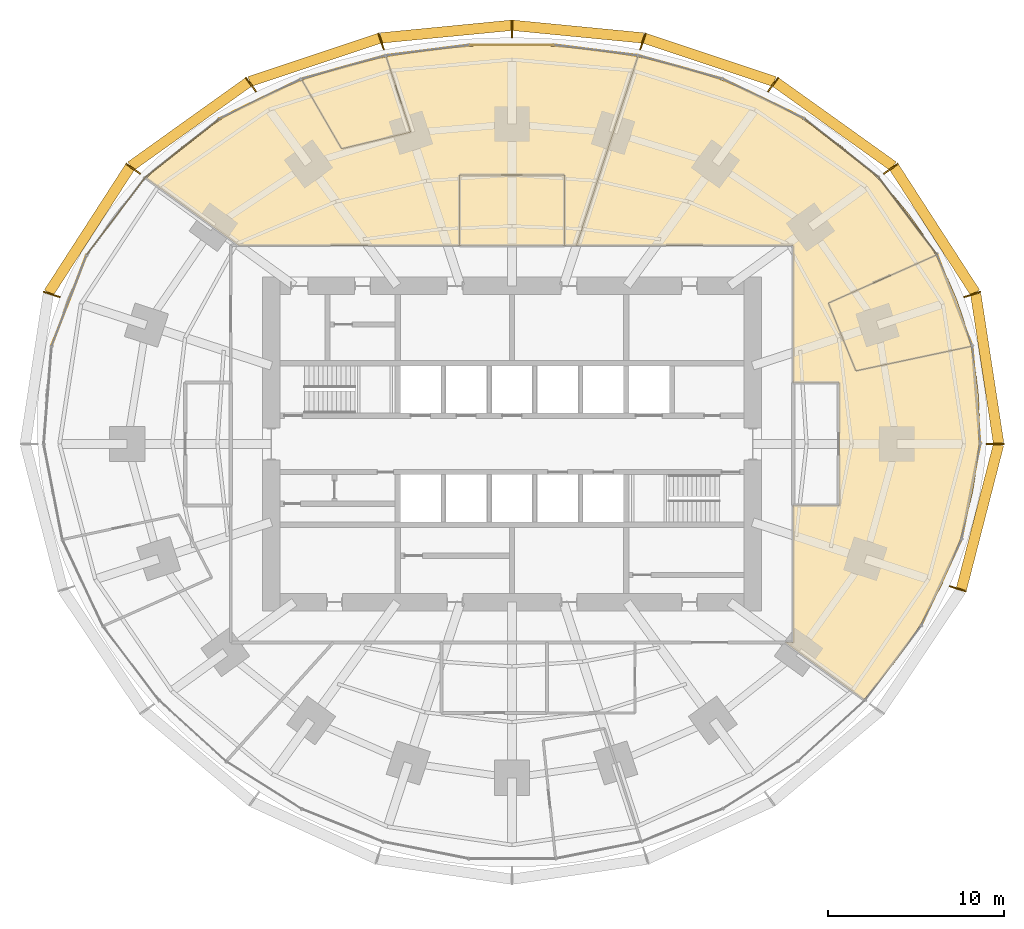
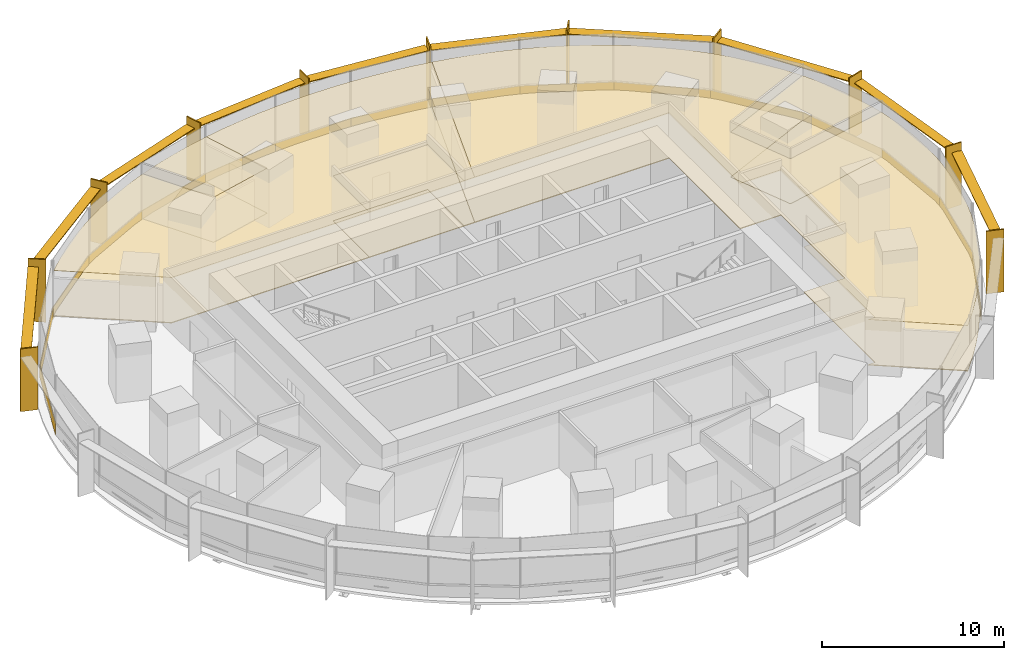
# One storey, part 15 of 15: 26 coverings, 21 shading devices.
"""IFC4 building model written with IfcOpenShell, lengths in metres."""

from ifc_helpers import new_model, si_unit, direction, frame, origin, origin_2d, place, context, subcontext, project, spatial, polyline, rectangle, outline, extrude, material, layer, layer_set, type_object, element, save


model = new_model("IFC4")

# Units and contexts
model_context = context("Model", 3, precision=1e-05, world=origin(), true_north=direction((0.0, 1.0)))
body_context = subcontext(model_context, "Body", "Model", "MODEL_VIEW")
ifc_project = project(units=[si_unit("LENGTHUNIT", "METRE"), si_unit("AREAUNIT", "SQUARE_METRE"), si_unit("VOLUMEUNIT", "CUBIC_METRE"), si_unit("PLANEANGLEUNIT", "RADIAN"), si_unit("MASSUNIT", "GRAM", prefix="KILO")], contexts=[model_context])

# Site, building, storey
site_placement = place(None, origin())
site = spatial("IfcSite", under=ifc_project, at=site_placement, CompositionType="ELEMENT")
building_placement = place(site_placement, origin())
building = spatial("IfcBuilding", under=site, at=building_placement, Name="Marramba Exchange Tower", CompositionType="ELEMENT")
storey_placement = place(building_placement, frame((0.0, 0.0, 70.0)))
storey = spatial("IfcBuildingStorey", under=building, at=storey_placement, Name="L16", CompositionType="ELEMENT", Elevation=70.0)

# Shading devices
ifc_material_1 = material(Name="Aluminium blade, timber-look bronze finish", Category="wood")
ifc_layer_1 = layer(ifc_material_1, 0.080078125)
ifc_layer_set_1 = layer_set([ifc_layer_1], Name="Floor-edge blade 1000x80")
shading_device_type_1 = type_object("IfcShadingDeviceType", Name="Floor-edge blade 1000x80", PredefinedType="USERDEFINED", material=ifc_layer_set_1)
for number, where, z_axis, x_axis, name in (
    (1, (27.5, 0.0, -0.16015625), (0.0, 0.0, 1.0), (1.0, 0.0, 0.0), "Floor-edge blade FB1 L16 TC01"),
    (2, (26.193115234375, 8.5107421875, -0.16015625), (0.0, 0.0, 1.0), (0.951056516295, 0.309016994375, 0.0), "Floor-edge blade FB1 L16 TC02"),
    (3, (21.56298828125, 15.66650390625, -0.16015625), (0.0, 0.0, 1.0), (0.809016994375, 0.587785252292, 0.0), "Floor-edge blade FB1 L16 TC03"),
    (4, (14.857666015625, 20.449951171875, -0.16015625), (0.0, 0.0, 1.0), (0.587785252292, 0.809016994375, 0.0), "Floor-edge blade FB1 L16 TC04"),
    (5, (7.444091796875, 22.910888671875, -0.16015625), (0.0, 0.0, 1.0), (0.309016994375, 0.951056516295, 0.0), "Floor-edge blade FB1 L16 TC05"),
    (6, (0.0, 23.6279296875, -0.16015625), (0.0, 0.0, 1.0), (0.0, 1.0, 0.0), "Floor-edge blade FB1 L16 TC06"),
    (7, (-7.444091796875, 22.910888671875, -0.16015625), (0.0, 0.0, 1.0), (-0.309016994375, 0.951056516295, 0.0), "Floor-edge blade FB1 L16 TC07"),
    (8, (-14.857666015625, 20.449951171875, -0.16015625), (0.0, 0.0, 1.0), (-0.587785252292, 0.809016994375, 0.0), "Floor-edge blade FB1 L16 TC08"),
    (9, (-21.56298828125, 15.66650390625, -0.16015625), (0.0, 0.0, 1.0), (-0.809016994375, 0.587785252292, 0.0), "Floor-edge blade FB1 L16 TC09"),
    (10, (-26.193115234375, 8.5107421875, -0.16015625), (0.0, 0.0, 1.0), (-0.951056516295, 0.309016994375, 0.0), "Floor-edge blade FB1 L16 TC10"),
    (11, (25.3740234375, -8.24462890625, -0.16015625), (0.0, 0.0, 1.0), (0.951056516295, -0.309016994375, 0.0), "Floor-edge blade FB1 L16 TC20"),
):
    element("IfcShadingDevice", number, at=place(storey_placement, frame(where, z_axis=z_axis, x_axis=x_axis)), inside=storey, type_object=shading_device_type_1, Name=name, ObjectType="FIN", PredefinedType="USERDEFINED", context=body_context, shape_type="SweptSolid", body=[
        extrude(rectangle(XDim=1.0, YDim=0.080078125, at=origin_2d()), origin(), (0.0, 0.0, 1.0), 4.199951171875),
    ])

# Coverings
ifc_material_2 = material(Name="Steel raised access floor panels", Category="steel")
ifc_layer_2 = layer(ifc_material_2, 0.050048828125)
ifc_layer_set_2 = layer_set([ifc_layer_2], Name="Raised access floor 300")
covering_type_1 = type_object("IfcCoveringType", Name="Raised access floor 300", PredefinedType="FLOORING", material=ifc_layer_set_2)
covering_1_placement = place(storey_placement, frame((0.0, 0.0, 0.25)))
element("IfcCovering", 12, at=covering_1_placement, inside=storey, type_object=covering_type_1, Name="Raised access floor RAF1 L16 Trading Floor 1", PredefinedType="FLOORING", context=body_context, shape_type="SweptSolid", body=[
    extrude(outline(polyline([(-20.810791015625, 15.119873046875), (-19.8251953125, 16.05419921875), (-18.791259765625, 16.919677734375), (-17.71630859375, 17.71630859375), (-16.60693359375, 18.44384765625), (-15.4697265625, 19.103759765625), (-14.31103515625, 19.697509765625), (-13.135986328125, 20.2275390625), (-11.94921875, 20.69677734375), (-9.69921875, 16.7998046875), (-5.76611328125, 17.74658203125), (-7.15673828125, 22.0263671875), (-5.95849609375, 22.23779296875), (-4.7626953125, 22.406982421875), (-3.5693359375, 22.535888671875), (-2.378173828125, 22.62646484375), (-1.188720703125, 22.68017578125), (0.0, 22.697998046875), (1.188720703125, 22.68017578125), (2.378173828125, 22.62646484375), (3.5693359375, 22.535888671875), (4.7626953125, 22.406982421875), (5.95849609375, 22.23779296875), (7.15673828125, 22.0263671875), (3.671630859375, 11.300048828125), (3.0, 11.300048828125), (3.0, 15.300048828125), (-3.0, 15.300048828125), (-3.0, 11.300048828125), (-15.552978515625, 11.300048828125), (-20.810791015625, 15.119873046875)])), origin(), (0.0, 0.0, 1.0), 0.050048828125),
])
covering_2_placement = place(storey_placement, frame((0.0, 0.0, 0.25)))
element("IfcCovering", 13, at=covering_2_placement, inside=storey, type_object=covering_type_1, Name="Raised access floor RAF1 L16 Trading Floor 4", PredefinedType="FLOORING", context=body_context, shape_type="SweptSolid", body=[
    extrude(outline(polyline([(16.0, -3.5), (18.60009765625, -3.5), (18.60009765625, 3.5), (16.0, 3.5), (16.0, 11.300048828125), (3.671630859375, 11.300048828125), (5.06201171875, 15.579345703125), (7.15673828125, 22.0263671875), (8.356689453125, 21.76953125), (9.556640625, 21.464599609375), (10.755126953125, 21.10791015625), (11.94921875, 20.69677734375), (13.135986328125, 20.2275390625), (14.31103515625, 19.697509765625), (15.4697265625, 19.103759765625), (16.60693359375, 18.44384765625), (17.71630859375, 17.71630859375), (18.791259765625, 16.919677734375), (19.8251953125, 16.05419921875), (20.810791015625, 15.119873046875), (21.740478515625, 14.118408203125), (22.607177734375, 13.05224609375), (23.40380859375, 11.9248046875), (24.12353515625, 10.740478515625), (18.002685546875, 8.015380859375), (19.569580078125, 4.15966796875), (26.123291015625, 5.552734375), (26.3837890625, 4.1787109375), (26.544921875, 2.7900390625), (26.6064453125, 1.394287109375), (26.570068359375, 0.0), (26.43798828125, -1.385498046875), (26.213623046875, -2.755126953125), (25.9013671875, -4.102294921875), (25.50634765625, -5.421630859375), (25.033935546875, -6.707763671875), (24.489501953125, -7.95703125), (23.879150390625, -9.166259765625), (23.208251953125, -10.3330078125), (22.482177734375, -11.455322265625), (21.7060546875, -12.531982421875), (20.88427734375, -13.5625), (20.020751953125, -14.5458984375), (16.2412109375, -11.800048828125), (15.552978515625, -11.300048828125), (16.0, -11.300048828125), (16.0, -3.5)])), origin(), (0.0, 0.0, 1.0), 0.050048828125),
])
covering_3_placement = place(storey_placement, frame((0.0, 0.0, 0.25)))
element("IfcCovering", 14, at=covering_3_placement, inside=storey, type_object=covering_type_1, Name="Raised access floor RAF1 L16 Firm Principal Office 1", PredefinedType="FLOORING", context=body_context, shape_type="SweptSolid", body=[
    extrude(outline(polyline([(-10.945068359375, 21.04248046875), (-10.755126953125, 21.10791015625), (-9.556640625, 21.464599609375), (-9.022705078125, 21.60009765625), (-8.356689453125, 21.76953125), (-7.15673828125, 22.0263671875), (-5.76611328125, 17.74658203125), (-9.69921875, 16.7998046875), (-11.94921875, 20.69677734375), (-10.945068359375, 21.04248046875)])), origin(), (0.0, 0.0, 1.0), 0.050048828125),
])
covering_4_placement = place(storey_placement, frame((0.0, 0.0, 0.25)))
element("IfcCovering", 15, at=covering_4_placement, inside=storey, type_object=covering_type_1, Name="Raised access floor RAF1 L16 Firm Principal Office 4", PredefinedType="FLOORING", context=body_context, shape_type="SweptSolid", body=[
    extrude(outline(polyline([(24.63134765625, 9.75439453125), (24.76025390625, 9.50439453125), (25.30859375, 8.22314453125), (25.763916015625, 6.9033203125), (26.123291015625, 5.552734375), (19.569580078125, 4.15966796875), (18.002685546875, 8.015380859375), (24.12353515625, 10.740478515625), (24.63134765625, 9.75439453125)])), origin(), (0.0, 0.0, 1.0), 0.050048828125),
])
covering_5_placement = place(storey_placement, frame((0.0, 0.0, 0.25)))
element("IfcCovering", 16, at=covering_5_placement, inside=storey, type_object=covering_type_1, Name="Raised access floor RAF1 L16 Meeting Room 1", PredefinedType="FLOORING", context=body_context, shape_type="SweptSolid", body=[
    extrude(outline(polyline([(3.0, 11.300048828125), (-3.0, 11.300048828125), (-3.0, 15.300048828125), (3.0, 15.300048828125), (3.0, 11.300048828125)])), origin(), (0.0, 0.0, 1.0), 0.050048828125),
])

# Shading devices
ifc_material_3 = material(Name="Aluminium sunshade, bronze anodised", Category="aluminium")
ifc_layer_3 = layer(ifc_material_3, 0.06005859375)
ifc_layer_set_3 = layer_set([ifc_layer_3], Name="SUNSHADE blade 600x60")
shading_device_type_2 = type_object("IfcShadingDeviceType", Name="SUNSHADE blade 600x60", PredefinedType="USERDEFINED", material=ifc_layer_set_3)
shading_device_1_placement = place(storey_placement, frame((27.04150390625, 4.2861328125, 3.4599609375), z_axis=(0.0, 0.0, 1.0), x_axis=(-0.151825486228, 0.988407315701, 0.0)))
element("IfcShadingDevice", 17, at=shading_device_1_placement, inside=storey, type_object=shading_device_type_2, Name="Sunshade SS1 L16 bay 01", ObjectType="SUNSHADE", PredefinedType="USERDEFINED", context=body_context, shape_type="SweptSolid", body=[
    extrude(rectangle(XDim=8.593017578125, YDim=0.60009765625, at=origin_2d()), origin(), (0.0, 0.0, 1.0), 0.06005859375),
])
shading_device_2_placement = place(storey_placement, frame((24.053955078125, 12.17822265625, 3.4599609375), z_axis=(0.0, 0.0, 1.0), x_axis=(-0.542596596948, 0.839993412462, 0.0)))
element("IfcShadingDevice", 18, at=shading_device_2_placement, inside=storey, type_object=shading_device_type_2, Name="Sunshade SS1 L16 bay 02", ObjectType="SUNSHADE", PredefinedType="USERDEFINED", context=body_context, shape_type="SweptSolid", body=[
    extrude(rectangle(XDim=8.50537109375, YDim=0.60009765625, at=origin_2d()), origin(), (0.0, 0.0, 1.0), 0.06005859375),
])
shading_device_3_placement = place(storey_placement, frame((18.35009765625, 18.19775390625, 3.4599609375), z_axis=(0.0, 0.0, 1.0), x_axis=(-0.813362978246, 0.581756534659, 0.0)))
element("IfcShadingDevice", 19, at=shading_device_3_placement, inside=storey, type_object=shading_device_type_2, Name="Sunshade SS1 L16 bay 03", ObjectType="SUNSHADE", PredefinedType="USERDEFINED", context=body_context, shape_type="SweptSolid", body=[
    extrude(rectangle(XDim=8.218505859375, YDim=0.60009765625, at=origin_2d()), origin(), (0.0, 0.0, 1.0), 0.06005859375),
])
shading_device_4_placement = place(storey_placement, frame((11.24072265625, 21.8564453125, 3.4599609375), z_axis=(0.0, 0.0, 1.0), x_axis=(-0.948697789537, 0.316184288235, 0.0)))
element("IfcShadingDevice", 20, at=shading_device_4_placement, inside=storey, type_object=shading_device_type_2, Name="Sunshade SS1 L16 bay 04", ObjectType="SUNSHADE", PredefinedType="USERDEFINED", context=body_context, shape_type="SweptSolid", body=[
    extrude(rectangle(XDim=7.793212890625, YDim=0.60009765625, at=origin_2d()), origin(), (0.0, 0.0, 1.0), 0.06005859375),
])
for number, where, z_axis, x_axis, name in (
    (21, (3.7529296875, 23.464599609375, 3.4599609375), (0.0, 0.0, 1.0), (-0.995342876176, 0.096397919302, 0.0), "Sunshade SS1 L16 bay 05"),
    (22, (-3.7529296875, 23.464599609375, 3.4599609375), (0.0, 0.0, 1.0), (-0.995342876176, -0.096397919302, 0.0), "Sunshade SS1 L16 bay 06"),
):
    element("IfcShadingDevice", number, at=place(storey_placement, frame(where, z_axis=z_axis, x_axis=x_axis)), inside=storey, type_object=shading_device_type_2, Name=name, ObjectType="SUNSHADE", PredefinedType="USERDEFINED", context=body_context, shape_type="SweptSolid", body=[
        extrude(rectangle(XDim=7.461181640625, YDim=0.60009765625, at=origin_2d()), origin(), (0.0, 0.0, 1.0), 0.06005859375),
    ])
shading_device_5_placement = place(storey_placement, frame((-11.24072265625, 21.8564453125, 3.4599609375), z_axis=(0.0, 0.0, 1.0), x_axis=(-0.948697789537, -0.316184288235, 0.0)))
element("IfcShadingDevice", 23, at=shading_device_5_placement, inside=storey, type_object=shading_device_type_2, Name="Sunshade SS1 L16 bay 07", ObjectType="SUNSHADE", PredefinedType="USERDEFINED", context=body_context, shape_type="SweptSolid", body=[
    extrude(rectangle(XDim=7.793212890625, YDim=0.60009765625, at=origin_2d()), origin(), (0.0, 0.0, 1.0), 0.06005859375),
])
shading_device_6_placement = place(storey_placement, frame((-18.35009765625, 18.19775390625, 3.4599609375), z_axis=(0.0, 0.0, 1.0), x_axis=(-0.813362978246, -0.581756534659, 0.0)))
element("IfcShadingDevice", 24, at=shading_device_6_placement, inside=storey, type_object=shading_device_type_2, Name="Sunshade SS1 L16 bay 08", ObjectType="SUNSHADE", PredefinedType="USERDEFINED", context=body_context, shape_type="SweptSolid", body=[
    extrude(rectangle(XDim=8.218505859375, YDim=0.60009765625, at=origin_2d()), origin(), (0.0, 0.0, 1.0), 0.06005859375),
])
shading_device_7_placement = place(storey_placement, frame((-24.053955078125, 12.17822265625, 3.4599609375), z_axis=(0.0, 0.0, 1.0), x_axis=(-0.542596596948, -0.839993412462, 0.0)))
element("IfcShadingDevice", 25, at=shading_device_7_placement, inside=storey, type_object=shading_device_type_2, Name="Sunshade SS1 L16 bay 09", ObjectType="SUNSHADE", PredefinedType="USERDEFINED", context=body_context, shape_type="SweptSolid", body=[
    extrude(rectangle(XDim=8.50537109375, YDim=0.60009765625, at=origin_2d()), origin(), (0.0, 0.0, 1.0), 0.06005859375),
])
shading_device_8_placement = place(storey_placement, frame((26.632080078125, -4.153076171875, 3.4599609375), z_axis=(0.0, 0.0, 1.0), x_axis=(0.249024641331, 0.968497149201, 0.0)))
element("IfcShadingDevice", 26, at=shading_device_8_placement, inside=storey, type_object=shading_device_type_2, Name="Sunshade SS1 L16 bay 20", ObjectType="SUNSHADE", PredefinedType="USERDEFINED", context=body_context, shape_type="SweptSolid", body=[
    extrude(rectangle(XDim=8.49658203125, YDim=0.60009765625, at=origin_2d()), origin(), (0.0, 0.0, 1.0), 0.06005859375),
])

# Coverings
ifc_material_4 = material(Name="Aluminium spandrel panel, bronze anodised, insulated", Category="aluminium")
ifc_layer_4 = layer(ifc_material_4, 0.050048828125)
ifc_layer_set_4 = layer_set([ifc_layer_4], Name="Spandrel panel 800")
covering_type_2 = type_object("IfcCoveringType", Name="Spandrel panel 800", PredefinedType="CLADDING", material=ifc_layer_set_4)
covering_6_placement = place(storey_placement, frame((26.42578125, 2.78466796875, 0.0), z_axis=(0.0, 0.0, 1.0), x_axis=(-0.080275227657, 0.996772736297, 0.0)))
element("IfcCovering", 27, at=covering_6_placement, inside=storey, type_object=covering_type_2, Name="Spandrel panel SP1 L16 F01", PredefinedType="CLADDING", context=body_context, shape_type="SweptSolid", body=[
    extrude(rectangle(XDim=5.58740234375, YDim=0.050048828125, at=origin_2d()), origin(), (0.0, 0.0, 1.0), 0.800048828125),
])
covering_7_placement = place(storey_placement, frame((25.198974609375, 8.171142578125, 0.0), z_axis=(0.0, 0.0, 1.0), x_axis=(-0.359525512701, 0.933135255854, 0.0)))
element("IfcCovering", 28, at=covering_7_placement, inside=storey, type_object=covering_type_2, Name="Spandrel panel SP1 L16 F02", PredefinedType="CLADDING", context=body_context, shape_type="SweptSolid", body=[
    extrude(rectangle(XDim=5.57666015625, YDim=0.050048828125, at=origin_2d()), origin(), (0.0, 0.0, 1.0), 0.800048828125),
])
covering_8_placement = place(storey_placement, frame((22.535888671875, 12.969970703125, 0.0), z_axis=(0.0, 0.0, 1.0), x_axis=(-0.602989761876, 0.797748924834, 0.0)))
element("IfcCovering", 29, at=covering_8_placement, inside=storey, type_object=covering_type_2, Name="Spandrel panel SP1 L16 F03", PredefinedType="CLADDING", context=body_context, shape_type="SweptSolid", body=[
    extrude(rectangle(XDim=5.5078125, YDim=0.050048828125, at=origin_2d()), origin(), (0.0, 0.0, 1.0), 0.800048828125),
])
covering_9_placement = place(storey_placement, frame((18.767822265625, 16.8349609375, 0.0), z_axis=(0.0, 0.0, 1.0), x_axis=(-0.784087946735, 0.620649733574, 0.0)))
element("IfcCovering", 30, at=covering_9_placement, inside=storey, type_object=covering_type_2, Name="Spandrel panel SP1 L16 F04", PredefinedType="CLADDING", context=body_context, shape_type="SweptSolid", body=[
    extrude(rectangle(XDim=5.375732421875, YDim=0.050048828125, at=origin_2d()), origin(), (0.0, 0.0, 1.0), 0.800048828125),
])
covering_10_placement = place(storey_placement, frame((14.324951171875, 19.634765625, 0.0), z_axis=(0.0, 0.0, 1.0), x_axis=(-0.899963432359, 0.435965389012, 0.0)))
element("IfcCovering", 31, at=covering_10_placement, inside=storey, type_object=covering_type_2, Name="Spandrel panel SP1 L16 F05", PredefinedType="CLADDING", context=body_context, shape_type="SweptSolid", body=[
    extrude(rectangle(XDim=5.1904296875, YDim=0.050048828125, at=origin_2d()), origin(), (0.0, 0.0, 1.0), 0.800048828125),
])
covering_11_placement = place(storey_placement, frame((9.58544921875, 21.434326171875, 0.0), z_axis=(0.0, 0.0, 1.0), x_axis=(-0.963472098411, 0.267808729475, 0.0)))
element("IfcCovering", 32, at=covering_11_placement, inside=storey, type_object=covering_type_2, Name="Spandrel panel SP1 L16 F06", PredefinedType="CLADDING", context=body_context, shape_type="SweptSolid", body=[
    extrude(rectangle(XDim=4.989990234375, YDim=0.050048828125, at=origin_2d()), origin(), (0.0, 0.0, 1.0), 0.800048828125),
])
covering_12_placement = place(storey_placement, frame((4.783935546875, 22.404296875, 0.0), z_axis=(0.0, 0.0, 1.0), x_axis=(-0.992172768222, 0.124872727203, 0.0)))
element("IfcCovering", 33, at=covering_12_placement, inside=storey, type_object=covering_type_2, Name="Spandrel panel SP1 L16 F07", PredefinedType="CLADDING", context=body_context, shape_type="SweptSolid", body=[
    extrude(rectangle(XDim=4.832763671875, YDim=0.050048828125, at=origin_2d()), origin(), (0.0, 0.0, 1.0), 0.800048828125),
])
covering_13_placement = place(storey_placement, frame((0.0, 22.7060546875, 0.0), z_axis=(0.0, 0.0, 1.0), x_axis=(-1.0, 0.0, 0.0)))
element("IfcCovering", 34, at=covering_13_placement, inside=storey, type_object=covering_type_2, Name="Spandrel panel SP1 L16 F08", PredefinedType="CLADDING", context=body_context, shape_type="SweptSolid", body=[
    extrude(rectangle(XDim=4.77294921875, YDim=0.050048828125, at=origin_2d()), origin(), (0.0, 0.0, 1.0), 0.800048828125),
])
covering_14_placement = place(storey_placement, frame((-4.783935546875, 22.404296875, 0.0), z_axis=(0.0, 0.0, 1.0), x_axis=(-0.992172768222, -0.124872727203, 0.0)))
element("IfcCovering", 35, at=covering_14_placement, inside=storey, type_object=covering_type_2, Name="Spandrel panel SP1 L16 F09", PredefinedType="CLADDING", context=body_context, shape_type="SweptSolid", body=[
    extrude(rectangle(XDim=4.832763671875, YDim=0.050048828125, at=origin_2d()), origin(), (0.0, 0.0, 1.0), 0.800048828125),
])
covering_15_placement = place(storey_placement, frame((-9.58544921875, 21.434326171875, 0.0), z_axis=(0.0, 0.0, 1.0), x_axis=(-0.963472098411, -0.267808729475, 0.0)))
element("IfcCovering", 36, at=covering_15_placement, inside=storey, type_object=covering_type_2, Name="Spandrel panel SP1 L16 F10", PredefinedType="CLADDING", context=body_context, shape_type="SweptSolid", body=[
    extrude(rectangle(XDim=4.989990234375, YDim=0.050048828125, at=origin_2d()), origin(), (0.0, 0.0, 1.0), 0.800048828125),
])
covering_16_placement = place(storey_placement, frame((-14.324951171875, 19.634765625, 0.0), z_axis=(0.0, 0.0, 1.0), x_axis=(-0.899963432359, -0.435965389012, 0.0)))
element("IfcCovering", 37, at=covering_16_placement, inside=storey, type_object=covering_type_2, Name="Spandrel panel SP1 L16 F11", PredefinedType="CLADDING", context=body_context, shape_type="SweptSolid", body=[
    extrude(rectangle(XDim=5.1904296875, YDim=0.050048828125, at=origin_2d()), origin(), (0.0, 0.0, 1.0), 0.800048828125),
])
covering_17_placement = place(storey_placement, frame((-18.767822265625, 16.8349609375, 0.0), z_axis=(0.0, 0.0, 1.0), x_axis=(-0.784087946735, -0.620649733574, 0.0)))
element("IfcCovering", 38, at=covering_17_placement, inside=storey, type_object=covering_type_2, Name="Spandrel panel SP1 L16 F12", PredefinedType="CLADDING", context=body_context, shape_type="SweptSolid", body=[
    extrude(rectangle(XDim=5.375732421875, YDim=0.050048828125, at=origin_2d()), origin(), (0.0, 0.0, 1.0), 0.800048828125),
])
covering_18_placement = place(storey_placement, frame((-22.535888671875, 12.969970703125, 0.0), z_axis=(0.0, 0.0, 1.0), x_axis=(-0.602989761876, -0.797748924834, 0.0)))
element("IfcCovering", 39, at=covering_18_placement, inside=storey, type_object=covering_type_2, Name="Spandrel panel SP1 L16 F13", PredefinedType="CLADDING", context=body_context, shape_type="SweptSolid", body=[
    extrude(rectangle(XDim=5.5078125, YDim=0.050048828125, at=origin_2d()), origin(), (0.0, 0.0, 1.0), 0.800048828125),
])
covering_19_placement = place(storey_placement, frame((-25.198974609375, 8.171142578125, 0.0), z_axis=(0.0, 0.0, 1.0), x_axis=(-0.359525512701, -0.933135255854, 0.0)))
element("IfcCovering", 40, at=covering_19_placement, inside=storey, type_object=covering_type_2, Name="Spandrel panel SP1 L16 F14", PredefinedType="CLADDING", context=body_context, shape_type="SweptSolid", body=[
    extrude(rectangle(XDim=5.57666015625, YDim=0.050048828125, at=origin_2d()), origin(), (0.0, 0.0, 1.0), 0.800048828125),
])
covering_20_placement = place(storey_placement, frame((24.432861328125, -7.90185546875, 0.0), z_axis=(0.0, 0.0, 1.0), x_axis=(0.423477213559, 0.905906755464, 0.0)))
element("IfcCovering", 41, at=covering_20_placement, inside=storey, type_object=covering_type_2, Name="Spandrel panel SP1 L16 F29", PredefinedType="CLADDING", context=body_context, shape_type="SweptSolid", body=[
    extrude(rectangle(XDim=5.439208984375, YDim=0.050048828125, at=origin_2d()), origin(), (0.0, 0.0, 1.0), 0.800048828125),
])
covering_21_placement = place(storey_placement, frame((26.117431640625, -2.718994140625, 0.0), z_axis=(0.0, 0.0, 1.0), x_axis=(0.19224858127, 0.981346260501, 0.0)))
element("IfcCovering", 42, at=covering_21_placement, inside=storey, type_object=covering_type_2, Name="Spandrel panel SP1 L16 F30", PredefinedType="CLADDING", context=body_context, shape_type="SweptSolid", body=[
    extrude(rectangle(XDim=5.54150390625, YDim=0.050048828125, at=origin_2d()), origin(), (0.0, 0.0, 1.0), 0.800048828125),
])
ifc_material_5 = material(Name="Mineral fibre ceiling tiles", Category="gypsum")
ifc_layer_5 = layer(ifc_material_5, 0.02001953125)
ifc_layer_set_5 = layer_set([ifc_layer_5], Name="Suspended ceiling 20")
covering_type_3 = type_object("IfcCoveringType", Name="Suspended ceiling 20", PredefinedType="CEILING", material=ifc_layer_set_5)
covering_22_placement = place(storey_placement, frame((0.0, 0.0, 3.300048828125)))
element("IfcCovering", 43, at=covering_22_placement, inside=storey, type_object=covering_type_3, Name="Ceiling CL1 L16 Trading Floor 1", PredefinedType="CEILING", context=body_context, shape_type="SweptSolid", body=[
    extrude(outline(polyline([(-20.810791015625, 15.119873046875), (-19.8251953125, 16.05419921875), (-18.791259765625, 16.919677734375), (-17.71630859375, 17.71630859375), (-16.60693359375, 18.44384765625), (-15.4697265625, 19.103759765625), (-14.31103515625, 19.697509765625), (-13.135986328125, 20.2275390625), (-11.94921875, 20.69677734375), (-9.69921875, 16.7998046875), (-5.76611328125, 17.74658203125), (-7.15673828125, 22.0263671875), (-5.95849609375, 22.23779296875), (-4.7626953125, 22.406982421875), (-3.5693359375, 22.535888671875), (-2.378173828125, 22.62646484375), (-1.188720703125, 22.68017578125), (0.0, 22.697998046875), (1.188720703125, 22.68017578125), (2.378173828125, 22.62646484375), (3.5693359375, 22.535888671875), (4.7626953125, 22.406982421875), (5.95849609375, 22.23779296875), (7.15673828125, 22.0263671875), (3.671630859375, 11.300048828125), (3.0, 11.300048828125), (3.0, 15.300048828125), (-3.0, 15.300048828125), (-3.0, 11.300048828125), (-15.552978515625, 11.300048828125), (-20.810791015625, 15.119873046875)])), origin(), (0.0, 0.0, 1.0), 0.02001953125),
])
covering_23_placement = place(storey_placement, frame((0.0, 0.0, 3.300048828125)))
element("IfcCovering", 44, at=covering_23_placement, inside=storey, type_object=covering_type_3, Name="Ceiling CL1 L16 Trading Floor 4", PredefinedType="CEILING", context=body_context, shape_type="SweptSolid", body=[
    extrude(outline(polyline([(16.0, -3.5), (18.60009765625, -3.5), (18.60009765625, 3.5), (16.0, 3.5), (16.0, 11.300048828125), (3.671630859375, 11.300048828125), (5.06201171875, 15.579345703125), (7.15673828125, 22.0263671875), (8.356689453125, 21.76953125), (9.556640625, 21.464599609375), (10.755126953125, 21.10791015625), (11.94921875, 20.69677734375), (13.135986328125, 20.2275390625), (14.31103515625, 19.697509765625), (15.4697265625, 19.103759765625), (16.60693359375, 18.44384765625), (17.71630859375, 17.71630859375), (18.791259765625, 16.919677734375), (19.8251953125, 16.05419921875), (20.810791015625, 15.119873046875), (21.740478515625, 14.118408203125), (22.607177734375, 13.05224609375), (23.40380859375, 11.9248046875), (24.12353515625, 10.740478515625), (18.002685546875, 8.015380859375), (19.569580078125, 4.15966796875), (26.123291015625, 5.552734375), (26.3837890625, 4.1787109375), (26.544921875, 2.7900390625), (26.6064453125, 1.394287109375), (26.570068359375, 0.0), (26.43798828125, -1.385498046875), (26.213623046875, -2.755126953125), (25.9013671875, -4.102294921875), (25.50634765625, -5.421630859375), (25.033935546875, -6.707763671875), (24.489501953125, -7.95703125), (23.879150390625, -9.166259765625), (23.208251953125, -10.3330078125), (22.482177734375, -11.455322265625), (21.7060546875, -12.531982421875), (20.88427734375, -13.5625), (20.020751953125, -14.5458984375), (16.2412109375, -11.800048828125), (15.552978515625, -11.300048828125), (16.0, -11.300048828125), (16.0, -3.5)])), origin(), (0.0, 0.0, 1.0), 0.02001953125),
])
covering_24_placement = place(storey_placement, frame((0.0, 0.0, 3.300048828125)))
element("IfcCovering", 45, at=covering_24_placement, inside=storey, type_object=covering_type_3, Name="Ceiling CL1 L16 Firm Principal Office 1", PredefinedType="CEILING", context=body_context, shape_type="SweptSolid", body=[
    extrude(outline(polyline([(-10.945068359375, 21.04248046875), (-10.755126953125, 21.10791015625), (-9.556640625, 21.464599609375), (-9.022705078125, 21.60009765625), (-8.356689453125, 21.76953125), (-7.15673828125, 22.0263671875), (-5.76611328125, 17.74658203125), (-9.69921875, 16.7998046875), (-11.94921875, 20.69677734375), (-10.945068359375, 21.04248046875)])), origin(), (0.0, 0.0, 1.0), 0.02001953125),
])
covering_25_placement = place(storey_placement, frame((0.0, 0.0, 3.300048828125)))
element("IfcCovering", 46, at=covering_25_placement, inside=storey, type_object=covering_type_3, Name="Ceiling CL1 L16 Firm Principal Office 4", PredefinedType="CEILING", context=body_context, shape_type="SweptSolid", body=[
    extrude(outline(polyline([(24.63134765625, 9.75439453125), (24.76025390625, 9.50439453125), (25.30859375, 8.22314453125), (25.763916015625, 6.9033203125), (26.123291015625, 5.552734375), (19.569580078125, 4.15966796875), (18.002685546875, 8.015380859375), (24.12353515625, 10.740478515625), (24.63134765625, 9.75439453125)])), origin(), (0.0, 0.0, 1.0), 0.02001953125),
])
covering_26_placement = place(storey_placement, frame((0.0, 0.0, 3.300048828125)))
element("IfcCovering", 47, at=covering_26_placement, inside=storey, type_object=covering_type_3, Name="Ceiling CL1 L16 Meeting Room 1", PredefinedType="CEILING", context=body_context, shape_type="SweptSolid", body=[
    extrude(outline(polyline([(3.0, 11.300048828125), (-3.0, 11.300048828125), (-3.0, 15.300048828125), (3.0, 15.300048828125), (3.0, 11.300048828125)])), origin(), (0.0, 0.0, 1.0), 0.02001953125),
])

save(model, "model.ifc")
